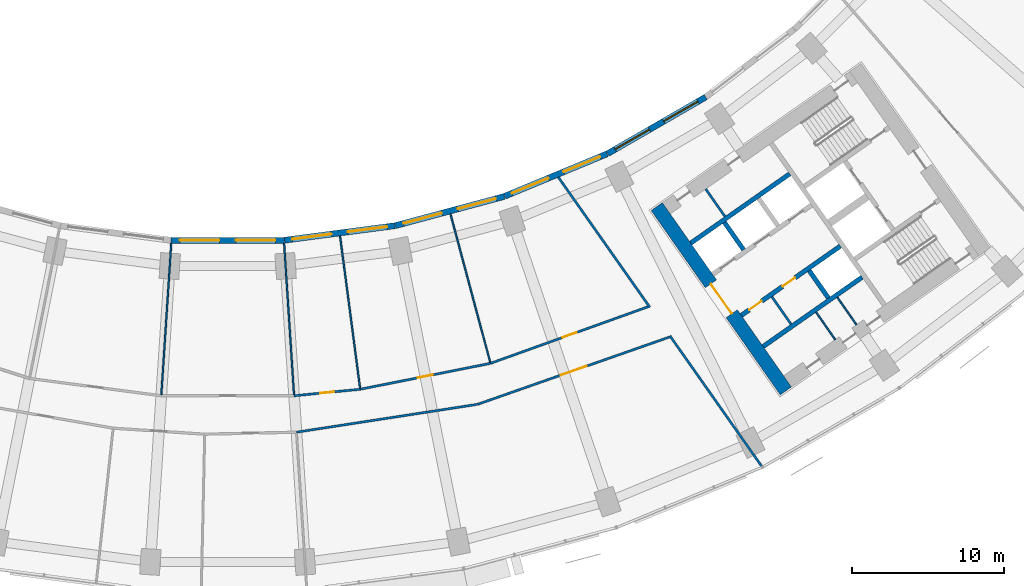
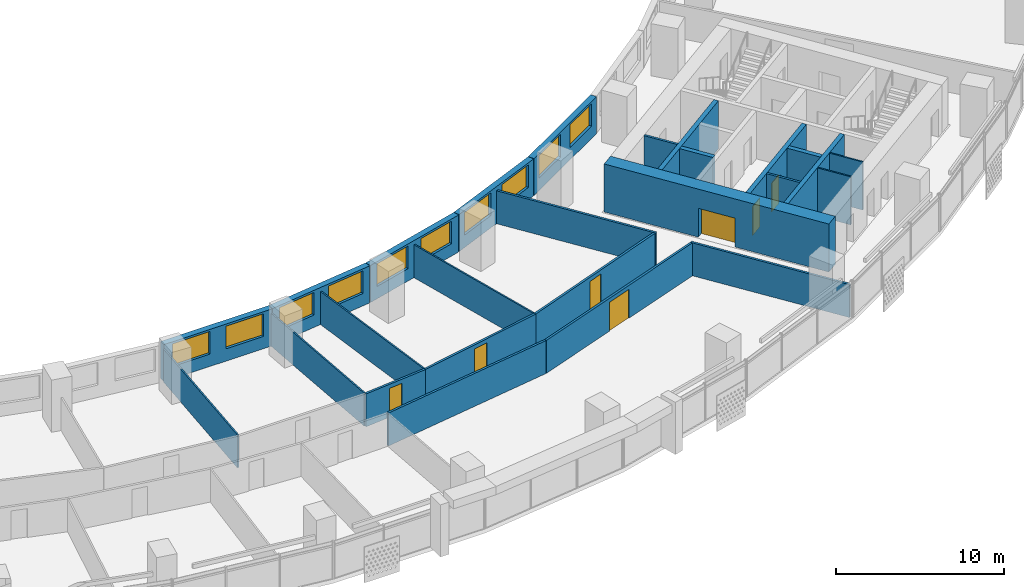
# One storey, part 6 of 31: 26 walls, 10 windows, 7 doors, 17 openings.
"""IFC4 building model written with IfcOpenShell, lengths in metres."""

from ifc_helpers import new_model, si_unit, direction, frame, frame_2d, origin, place, context, subcontext, project, spatial, rectangle, extrude, material, layer, layer_set, type_object, element, fill, save


model = new_model("IFC4")

# Units and contexts
model_context = context("Model", 3, precision=1e-05, world=origin(), true_north=direction((0.0, 1.0)))
body_context = subcontext(model_context, "Body", "Model", "MODEL_VIEW")
ifc_project = project(units=[si_unit("LENGTHUNIT", "METRE"), si_unit("AREAUNIT", "SQUARE_METRE"), si_unit("VOLUMEUNIT", "CUBIC_METRE"), si_unit("PLANEANGLEUNIT", "RADIAN"), si_unit("MASSUNIT", "GRAM", prefix="KILO")], contexts=[model_context])

# Site, building, storey
site_placement = place(None, origin())
site = spatial("IfcSite", under=ifc_project, at=site_placement, CompositionType="ELEMENT")
building_placement = place(site_placement, origin())
building = spatial("IfcBuilding", under=site, at=building_placement, Name="Qamariyya Broadcast Tower", CompositionType="ELEMENT")
storey_placement = place(building_placement, frame((0.0, 0.0, 51.89990234375)))
storey = spatial("IfcBuildingStorey", under=building, at=storey_placement, Name="L09", CompositionType="ELEMENT", Elevation=51.89990234375)

# Wall, opening, door
ifc_material_1 = material(Name="Concrete C70/85", Category="concrete")
ifc_layer_1 = layer(ifc_material_1, 0.89990234375)
ifc_layer_set_1 = layer_set([ifc_layer_1], Name="Core wall 900 mm Concrete C70/85")
wall_type_1 = type_object("IfcWallType", Name="Core wall 900 mm Concrete C70/85", PredefinedType="SHEAR", material=ifc_layer_set_1)
wall_1_placement = place(storey_placement, frame((36.716796875, -66.3369140625, 0.0), z_axis=(0.0, 0.0, 1.0), x_axis=(-0.573577477574, 0.819151315216, 0.0)))
wall_1 = element("IfcWall", 1, at=wall_1_placement, inside=storey, type_object=wall_type_1, Name="k-E-L09-WA", PredefinedType="SHEAR", context=body_context, shape_type="SweptSolid", body=[
    extrude(rectangle(XDim=14.800048828125, YDim=0.89990234375, at=frame_2d((7.39990234375, 0.0))), origin(), (0.0, 0.0, 1.0), 3.5),
])
opening_1_placement = place(wall_1_placement, frame((6.199951171875, 0.0, 0.0)))
opening_1 = element("IfcOpeningElement", 2, at=opening_1_placement, cuts=wall_1, Name="Opening KD3-E1", PredefinedType="OPENING", context=body_context, shape_type="SweptSolid", body=[
    extrude(rectangle(XDim=2.39990234375, YDim=2.10009765625, at=frame_2d((1.199951171875, 1.050048828125))), frame((0.0, 0.4599609375, 0.0), z_axis=(0.0, -1.0, 0.0), x_axis=(1.0, 0.0, 0.0)), (0.0, 0.0, 1.0), 0.919921875),
])
ifc_material_2 = material(Name="Steel fire-resisting door leaf", Category="steel")
door_type_1 = type_object("IfcDoorType", Name="Lift lobby door KD3", OperationType="DOUBLE_DOOR_SINGLE_SWING", PredefinedType="DOOR", material=ifc_material_2)
door_1_placement = place(opening_1_placement, origin())
door_1 = element("IfcDoor", 3, at=door_1_placement, inside=storey, type_object=door_type_1, Name="k-E-L09-WA-D1", OperationType="DOUBLE_DOOR_SINGLE_SWING", OverallHeight=2.10009765625, OverallWidth=2.39990234375, PredefinedType="DOOR", context=body_context, shape_type="SweptSolid", body=[
    extrude(rectangle(XDim=2.39990234375, YDim=2.10009765625, at=frame_2d((1.199951171875, 1.050048828125))), frame((0.0, 0.02490234375, 0.0), z_axis=(0.0, -1.0, 0.0), x_axis=(1.0, 0.0, 0.0)), (0.0, 0.0, 1.0), 0.050048828125),
])
fill(opening_1, door_1)

ifc_material_3 = material(Name="Gypsum board partition")
ifc_layer_2 = layer(ifc_material_3, 0.14990234375)
ifc_layer_set_2 = layer_set([ifc_layer_2], Name="Corridor partition 150 EI 60")
wall_type_2 = type_object("IfcWallType", Name="Corridor partition 150 EI 60", PredefinedType="PARTITIONING", material=ifc_layer_set_2)
wall_2_placement = place(storey_placement, frame((4.368896484375, -66.656982421875, 0.0), z_axis=(0.0, 0.0, 1.0), x_axis=(0.995184826457, 0.098016127192, 0.0)))
wall_2 = element("IfcWall", 4, at=wall_2_placement, inside=storey, type_object=wall_type_2, Name="Partition L09-019", PredefinedType="PARTITIONING", context=body_context, shape_type="SweptSolid", body=[
    extrude(rectangle(XDim=4.371337890625, YDim=0.14990234375, at=frame_2d((2.185546875, 0.0))), origin(), (0.0, 0.0, 1.0), 2.400146484375),
])
opening_2_placement = place(wall_2_placement, frame((1.735595703125, 0.0, 0.0)))
opening_2 = element("IfcOpeningElement", 5, at=opening_2_placement, cuts=wall_2, Name="Opening L09-D10", PredefinedType="OPENING", context=body_context, shape_type="SweptSolid", body=[
    extrude(rectangle(XDim=0.89990234375, YDim=2.10009765625, at=frame_2d((0.449951171875, 1.050048828125))), frame((0.0, 0.0849609375, 0.0), z_axis=(0.0, -1.0, 0.0), x_axis=(1.0, 0.0, 0.0)), (0.0, 0.0, 1.0), 0.169921875),
])
ifc_material_4 = material(Name="Timber fire door leaf", Category="wood")
door_type_2 = type_object("IfcDoorType", Name="Fire door 900 x 2100 FD60", OperationType="NOTDEFINED", PredefinedType="DOOR", material=ifc_material_4)
door_2_placement = place(opening_2_placement, origin())
door_2 = element("IfcDoor", 6, at=door_2_placement, inside=storey, type_object=door_type_2, Name="Door L09-D10", OperationType="SINGLE_SWING_RIGHT", OverallHeight=2.10009765625, OverallWidth=0.89990234375, PredefinedType="DOOR", context=body_context, shape_type="SweptSolid", body=[
    extrude(rectangle(XDim=0.89990234375, YDim=2.10009765625, at=frame_2d((0.449951171875, 1.050048828125))), frame((0.0, 0.02490234375, 0.0), z_axis=(0.0, -1.0, 0.0), x_axis=(1.0, 0.0, 0.0)), (0.0, 0.0, 1.0), 0.050048828125),
])
fill(opening_2, door_2)

# Wall
wall_3_placement = place(storey_placement, frame((4.52587890625, -69.0517578125, 0.0), z_axis=(0.0, 0.0, 1.0), x_axis=(0.988363732991, 0.152108945522, 0.0)))
element("IfcWall", 7, at=wall_3_placement, inside=storey, type_object=wall_type_2, Name="Partition L09-020", PredefinedType="PARTITIONING", context=body_context, shape_type="SweptSolid", body=[
    extrude(rectangle(XDim=12.050537109375, YDim=0.14990234375, at=frame_2d((6.025390625, 0.0))), origin(), (0.0, 0.0, 1.0), 2.400146484375),
])

# Wall, opening, door
wall_4_placement = place(storey_placement, frame((8.71923828125, -66.228515625, 0.0), z_axis=(0.0, 0.0, 1.0), x_axis=(0.980786466832, 0.195084357342, 0.0)))
wall_4 = element("IfcWall", 8, at=wall_4_placement, inside=storey, type_object=wall_type_2, Name="Partition L09-023", PredefinedType="PARTITIONING", context=body_context, shape_type="SweptSolid", body=[
    extrude(rectangle(XDim=8.73779296875, YDim=0.14990234375, at=frame_2d((4.368896484375, 0.0))), origin(), (0.0, 0.0, 1.0), 2.400146484375),
])
opening_3_placement = place(wall_4_placement, frame((3.868896484375, 0.0, 0.0)))
opening_3 = element("IfcOpeningElement", 9, at=opening_3_placement, cuts=wall_4, Name="Opening L09-D11", PredefinedType="OPENING", context=body_context, shape_type="SweptSolid", body=[
    extrude(rectangle(XDim=1.0, YDim=2.10009765625, at=frame_2d((0.5, 1.050048828125))), frame((0.0, 0.0849609375, 0.0), z_axis=(0.0, -1.0, 0.0), x_axis=(1.0, 0.0, 0.0)), (0.0, 0.0, 1.0), 0.169921875),
])
door_type_3 = type_object("IfcDoorType", Name="Fire door 1000 x 2100 FD60", OperationType="NOTDEFINED", PredefinedType="DOOR", material=ifc_material_4)
door_3_placement = place(opening_3_placement, origin())
door_3 = element("IfcDoor", 10, at=door_3_placement, inside=storey, type_object=door_type_3, Name="Door L09-D11", OperationType="SINGLE_SWING_RIGHT", OverallHeight=2.10009765625, OverallWidth=1.0, PredefinedType="DOOR", context=body_context, shape_type="SweptSolid", body=[
    extrude(rectangle(XDim=1.0, YDim=2.10009765625, at=frame_2d((0.5, 1.050048828125))), frame((0.0, 0.02490234375, 0.0), z_axis=(0.0, -1.0, 0.0), x_axis=(1.0, 0.0, 0.0)), (0.0, 0.0, 1.0), 0.050048828125),
])
fill(opening_3, door_3)

wall_5_placement = place(storey_placement, frame((29.060302734375, -62.79443359375, 0.0), z_axis=(0.0, 0.0, 1.0), x_axis=(-0.943672989474, -0.330879568631, 0.0)))
wall_5 = element("IfcWall", 11, at=wall_5_placement, inside=storey, type_object=wall_type_2, Name="Partition L09-025", PredefinedType="PARTITIONING", context=body_context, shape_type="SweptSolid", body=[
    extrude(rectangle(XDim=13.357421875, YDim=0.14990234375, at=frame_2d((6.6787109375, 0.0))), origin(), (0.0, 0.0, 1.0), 2.400146484375),
])
opening_4_placement = place(wall_5_placement, frame((5.778564453125, 0.0, 0.0)))
opening_4 = element("IfcOpeningElement", 12, at=opening_4_placement, cuts=wall_5, Name="Opening L09-D06", PredefinedType="OPENING", context=body_context, shape_type="SweptSolid", body=[
    extrude(rectangle(XDim=1.800048828125, YDim=2.10009765625, at=frame_2d((0.89990234375, 1.050048828125))), frame((0.0, 0.0849609375, 0.0), z_axis=(0.0, -1.0, 0.0), x_axis=(1.0, 0.0, 0.0)), (0.0, 0.0, 1.0), 0.169921875),
])
door_type_4 = type_object("IfcDoorType", Name="Double fire door 1800 x 2100 FD60", OperationType="NOTDEFINED", PredefinedType="DOOR", material=ifc_material_4)
door_4_placement = place(opening_4_placement, origin())
door_4 = element("IfcDoor", 13, at=door_4_placement, inside=storey, type_object=door_type_4, Name="Door L09-D06", OperationType="DOUBLE_DOOR_SINGLE_SWING", OverallHeight=2.10009765625, OverallWidth=1.800048828125, PredefinedType="DOOR", context=body_context, shape_type="SweptSolid", body=[
    extrude(rectangle(XDim=1.800048828125, YDim=2.10009765625, at=frame_2d((0.89990234375, 1.050048828125))), frame((0.0, 0.02490234375, 0.0), z_axis=(0.0, -1.0, 0.0), x_axis=(1.0, 0.0, 0.0)), (0.0, 0.0, 1.0), 0.050048828125),
])
fill(opening_4, door_4)

wall_6_placement = place(storey_placement, frame((17.2890625, -64.52392578125, 0.0), z_axis=(0.0, 0.0, 1.0), x_axis=(0.941106453562, 0.338110400705, 0.0)))
wall_6 = element("IfcWall", 14, at=wall_6_placement, inside=storey, type_object=wall_type_2, Name="Partition L09-026", PredefinedType="PARTITIONING", context=body_context, shape_type="SweptSolid", body=[
    extrude(rectangle(XDim=11.015869140625, YDim=0.14990234375, at=frame_2d((5.5078125, 0.0))), origin(), (0.0, 0.0, 1.0), 2.400146484375),
])
opening_5_placement = place(wall_6_placement, frame((5.008056640625, 0.0, 0.0)))
opening_5 = element("IfcOpeningElement", 15, at=opening_5_placement, cuts=wall_6, Name="Opening L09-D12", PredefinedType="OPENING", context=body_context, shape_type="SweptSolid", body=[
    extrude(rectangle(XDim=1.0, YDim=2.10009765625, at=frame_2d((0.5, 1.050048828125))), frame((0.0, 0.0849609375, 0.0), z_axis=(0.0, -1.0, 0.0), x_axis=(1.0, 0.0, 0.0)), (0.0, 0.0, 1.0), 0.169921875),
])
door_5_placement = place(opening_5_placement, origin())
door_5 = element("IfcDoor", 16, at=door_5_placement, inside=storey, type_object=door_type_3, Name="Door L09-D12", OperationType="SINGLE_SWING_RIGHT", OverallHeight=2.10009765625, OverallWidth=1.0, PredefinedType="DOOR", context=body_context, shape_type="SweptSolid", body=[
    extrude(rectangle(XDim=1.0, YDim=2.10009765625, at=frame_2d((0.5, 1.050048828125))), frame((0.0, 0.02490234375, 0.0), z_axis=(0.0, -1.0, 0.0), x_axis=(1.0, 0.0, 0.0)), (0.0, 0.0, 1.0), 0.050048828125),
])
fill(opening_5, door_5)

# Walls
wall_7_placement = place(storey_placement, frame((21.748291015625, -52.2763671875, 0.0), z_axis=(0.0, 0.0, 1.0), x_axis=(0.575419434668, -0.817858468322, 0.0)))
element("IfcWall", 17, at=wall_7_placement, inside=storey, type_object=wall_type_2, Name="Partition L09-027", PredefinedType="PARTITIONING", context=body_context, shape_type="SweptSolid", body=[
    extrude(rectangle(XDim=10.46484375, YDim=0.14990234375, at=frame_2d((5.232421875, 0.0))), origin(), (0.0, 0.0, 1.0), 2.400146484375),
])
wall_8_placement = place(storey_placement, frame((29.087890625, -62.708251953125, 0.0), z_axis=(0.0, 0.0, 1.0), x_axis=(0.575411972256, -0.817863718589, 0.0)))
element("IfcWall", 18, at=wall_8_placement, inside=storey, type_object=wall_type_2, Name="Partition L09-028", PredefinedType="PARTITIONING", context=body_context, shape_type="SweptSolid", body=[
    extrude(rectangle(XDim=10.471435546875, YDim=0.14990234375, at=frame_2d((5.23583984375, 0.0))), origin(), (0.0, 0.0, 1.0), 2.400146484375),
])
ifc_material_5 = material(Name="Gypsum board partition on steel studs", Category="steel")
ifc_layer_3 = layer(ifc_material_5, 0.14990234375)
ifc_layer_set_3 = layer_set([ifc_layer_3], Name="Gypsum board partition 150 mm")
wall_type_3 = type_object("IfcWallType", Name="Gypsum board partition 150 mm", PredefinedType="PARTITIONING", material=ifc_layer_set_3)
for number, where, z_axis, x_axis, name in (
    (19, (35.79833984375, -60.143798828125, 0.0), (0.0, 0.0, 1.0), (0.573633636671, -0.819111989218, 0.0), "k-E-L09-SC235"),
    (20, (32.709228515625, -54.860107421875, 0.0), (0.0, 0.0, 1.0), (-0.573633636671, 0.819111989218, 0.0), "k-E-L09-NP285"),
):
    element("IfcWall", number, at=place(storey_placement, frame(where, z_axis=z_axis, x_axis=x_axis)), inside=storey, type_object=wall_type_3, Name=name, PredefinedType="PARTITIONING", context=body_context, shape_type="SweptSolid", body=[
        extrude(rectangle(XDim=2.199951171875, YDim=0.14990234375, at=frame_2d((1.10009765625, 0.0))), origin(), (0.0, 0.0, 1.0), 3.5),
    ])
ifc_material_6 = material(Name="Concrete C60/75", Category="concrete")
ifc_layer_4 = layer(ifc_material_6, 0.300048828125)
ifc_layer_set_4 = layer_set([ifc_layer_4], Name="Lift shaft wall 300 mm Concrete C60/75")
wall_type_4 = type_object("IfcWallType", Name="Lift shaft wall 300 mm Concrete C60/75", PredefinedType="SOLIDWALL", material=ifc_layer_set_4)
wall_9_placement = place(storey_placement, frame((30.460693359375, -56.61767578125, 0.0), z_axis=(0.0, 0.0, 1.0), x_axis=(0.819142461705, 0.573590121456, 0.0)))
element("IfcWall", 21, at=wall_9_placement, inside=storey, type_object=wall_type_4, Name="k-E-L09-NB0", PredefinedType="SOLIDWALL", context=body_context, shape_type="SweptSolid", body=[
    extrude(rectangle(XDim=7.949951171875, YDim=0.300048828125, at=frame_2d((3.97509765625, 0.0))), origin(), (0.0, 0.0, 1.0), 3.5),
])
wall_10_placement = place(storey_placement, frame((33.9384765625, -57.051513671875, 0.0), z_axis=(0.0, 0.0, 1.0), x_axis=(-0.573581496053, 0.819148501424, 0.0)))
element("IfcWall", 22, at=wall_10_placement, inside=storey, type_object=wall_type_4, Name="k-E-L09-ND0", PredefinedType="SOLIDWALL", context=body_context, shape_type="SweptSolid", body=[
    extrude(rectangle(XDim=2.2001953125, YDim=0.300048828125, at=frame_2d((1.10009765625, 0.0))), origin(), (0.0, 0.0, 1.0), 3.5),
])

# Wall, openings, doors
wall_11_placement = place(storey_placement, frame((33.787353515625, -61.368896484375, 0.0), z_axis=(0.0, 0.0, 1.0), x_axis=(0.819152564888, 0.573575692858, 0.0)))
wall_11 = element("IfcWall", 23, at=wall_11_placement, inside=storey, type_object=wall_type_4, Name="k-E-L09-SF0", PredefinedType="SOLIDWALL", context=body_context, shape_type="SweptSolid", body=[
    extrude(rectangle(XDim=7.9501953125, YDim=0.300048828125, at=frame_2d((3.97509765625, 0.0))), origin(), (0.0, 0.0, 1.0), 3.5),
])
opening_6_placement = place(wall_11_placement, frame((0.637451171875, 0.0, 0.0)))
opening_6 = element("IfcOpeningElement", 24, at=opening_6_placement, cuts=wall_11, Name="Opening KD6-E1", PredefinedType="OPENING", context=body_context, shape_type="SweptSolid", body=[
    extrude(rectangle(XDim=1.0, YDim=2.10009765625, at=frame_2d((0.5, 1.050048828125))), frame((0.0, 0.159912109375, 0.0), z_axis=(0.0, -1.0, 0.0), x_axis=(1.0, 0.0, 0.0)), (0.0, 0.0, 1.0), 0.320068359375),
])
opening_7_placement = place(wall_11_placement, frame((3.3125, 0.0, 0.0)))
opening_7 = element("IfcOpeningElement", 25, at=opening_7_placement, cuts=wall_11, Name="Opening KD4-E1", PredefinedType="OPENING", context=body_context, shape_type="SweptSolid", body=[
    extrude(rectangle(XDim=1.0, YDim=2.10009765625, at=frame_2d((0.5, 1.050048828125))), frame((0.0, 0.159912109375, 0.0), z_axis=(0.0, -1.0, 0.0), x_axis=(1.0, 0.0, 0.0)), (0.0, 0.0, 1.0), 0.320068359375),
])
door_type_5 = type_object("IfcDoorType", Name="Core room door KD6", OperationType="SINGLE_SWING_LEFT", PredefinedType="DOOR", material=ifc_material_2)
door_6_placement = place(opening_6_placement, origin())
door_6 = element("IfcDoor", 26, at=door_6_placement, inside=storey, type_object=door_type_5, Name="k-E-L09-SF0-D5", OperationType="SINGLE_SWING_LEFT", OverallHeight=2.10009765625, OverallWidth=1.0, PredefinedType="DOOR", context=body_context, shape_type="SweptSolid", body=[
    extrude(rectangle(XDim=1.0, YDim=2.10009765625, at=frame_2d((0.5, 1.050048828125))), frame((0.0, 0.02490234375, 0.0), z_axis=(0.0, -1.0, 0.0), x_axis=(1.0, 0.0, 0.0)), (0.0, 0.0, 1.0), 0.050048828125),
])
fill(opening_6, door_6)
door_type_6 = type_object("IfcDoorType", Name="Riser and plant door KD4", OperationType="SINGLE_SWING_LEFT", PredefinedType="DOOR", material=ifc_material_2)
door_7_placement = place(opening_7_placement, origin())
door_7 = element("IfcDoor", 27, at=door_7_placement, inside=storey, type_object=door_type_6, Name="k-E-L09-SF0-D6", OperationType="SINGLE_SWING_RIGHT", OverallHeight=2.10009765625, OverallWidth=1.0, PredefinedType="DOOR", context=body_context, shape_type="SweptSolid", body=[
    extrude(rectangle(XDim=1.0, YDim=2.10009765625, at=frame_2d((0.5, 1.050048828125))), frame((0.0, 0.02490234375, 0.0), z_axis=(0.0, -1.0, 0.0), x_axis=(1.0, 0.0, 0.0)), (0.0, 0.0, 1.0), 0.050048828125),
])
fill(opening_7, door_7)

# Walls
wall_12_placement = place(storey_placement, frame((35.22119140625, -63.41650390625, 0.0), z_axis=(0.0, 0.0, 1.0), x_axis=(0.819166993208, 0.573555086491, 0.0)))
element("IfcWall", 28, at=wall_12_placement, inside=storey, type_object=wall_type_4, Name="k-E-L09-SB0", PredefinedType="SOLIDWALL", context=body_context, shape_type="SweptSolid", body=[
    extrude(rectangle(XDim=7.9501953125, YDim=0.300048828125, at=frame_2d((3.97509765625, 0.0))), origin(), (0.0, 0.0, 1.0), 3.5),
])
wall_13_placement = place(storey_placement, frame((38.255859375, -58.423095703125, 0.0), z_axis=(0.0, 0.0, 1.0), x_axis=(0.573633636671, -0.819111989218, 0.0)))
element("IfcWall", 29, at=wall_13_placement, inside=storey, type_object=wall_type_4, Name="k-E-L09-SD1", PredefinedType="SOLIDWALL", context=body_context, shape_type="SweptSolid", body=[
    extrude(rectangle(XDim=2.199951171875, YDim=0.300048828125, at=frame_2d((1.10009765625, 0.0))), origin(), (0.0, 0.0, 1.0), 3.5),
])
ifc_layer_5 = layer(ifc_material_3, 0.10009765625)
ifc_layer_set_5 = layer_set([ifc_layer_5], Name="Partition 100")
wall_type_5 = type_object("IfcWallType", Name="Partition 100", PredefinedType="PARTITIONING", material=ifc_layer_set_5)
for number, where, z_axis, x_axis, name in (
    (30, (-3.711669921875, -56.62841796875, 0.0), (0.0, 0.0, 1.0), (-0.06539808502, -0.997859253841, 0.0), "Partition L09-015"),
    (31, (3.711669921875, -56.62841796875, 0.0), (0.0, 0.0, 1.0), (0.06539808502, -0.997859253841, 0.0), "Partition L09-018"),
):
    element("IfcWall", number, at=place(storey_placement, frame(where, z_axis=z_axis, x_axis=x_axis)), inside=storey, type_object=wall_type_5, Name=name, PredefinedType="PARTITIONING", context=body_context, shape_type="SweptSolid", body=[
        extrude(rectangle(XDim=9.974853515625, YDim=0.10009765625, at=frame_2d((4.9873046875, 0.0))), origin(), (0.0, 0.0, 1.0), 2.400146484375),
    ])
for number, where, z_axis, x_axis, name in (
    (32, (7.3916015625, -56.144775390625, 0.0), (0.0, 0.0, 1.0), (0.130538336764, -0.991443262439, 0.0), "Partition L09-022"),
    (33, (14.65673828125, -54.69970703125, 0.0), (0.0, 0.0, 1.0), (0.258825935876, -0.965923979885, 0.0), "Partition L09-024"),
):
    element("IfcWall", number, at=place(storey_placement, frame(where, z_axis=z_axis, x_axis=x_axis)), inside=storey, type_object=wall_type_5, Name=name, PredefinedType="PARTITIONING", context=body_context, shape_type="SweptSolid", body=[
        extrude(rectangle(XDim=10.095703125, YDim=0.10009765625, at=frame_2d((5.0478515625, 0.0))), origin(), (0.0, 0.0, 1.0), 2.400146484375),
    ])
ifc_material_7 = material(Name="Fire-rated gypsum shaft liner on steel studs", Category="steel")
ifc_layer_6 = layer(ifc_material_7, 0.10009765625)
ifc_layer_set_6 = layer_set([ifc_layer_6], Name="Riser wall 100 mm")
wall_type_6 = type_object("IfcWallType", Name="Riser wall 100 mm", PredefinedType="PLUMBINGWALL", material=ifc_layer_set_6)
for number, where, z_axis, x_axis, name in (
    (34, (38.706787109375, -61.1591796875, 0.0), (0.0, 0.0, 1.0), (0.573633636671, -0.819111989218, 0.0), "k-E-L09-SP415"),
    (35, (40.099365234375, -60.18408203125, 0.0), (0.0, 0.0, 1.0), (0.573633636671, -0.819111989218, 0.0), "k-E-L09-SP585"),
):
    element("IfcWall", number, at=place(storey_placement, frame(where, z_axis=z_axis, x_axis=x_axis)), inside=storey, type_object=wall_type_6, Name=name, PredefinedType="PLUMBINGWALL", context=body_context, shape_type="SweptSolid", body=[
        extrude(rectangle(XDim=2.199951171875, YDim=0.10009765625, at=frame_2d((1.10009765625, 0.0))), origin(), (0.0, 0.0, 1.0), 3.5),
    ])

# Wall, openings, windows
ifc_material_8 = material(Name="Terracotta", Category="masonry")
ifc_layer_7 = layer(ifc_material_8, 0.39990234375)
ifc_layer_set_7 = layer_set([ifc_layer_7], Name="Terracotta clad wall 400")
wall_type_7 = type_object("IfcWallType", Name="Terracotta clad wall 400", PredefinedType="SOLIDWALL", material=ifc_layer_set_7)
wall_14_placement = place(storey_placement, frame((18.20166015625, -53.542724609375, 0.0), z_axis=(0.0, 0.0, 1.0), x_axis=(-0.965924637935, -0.25882348006, 0.0)))
wall_14 = element("IfcWall", 36, at=wall_14_placement, inside=storey, type_object=wall_type_7, Name="e-wl-L09-in100", PredefinedType="SOLIDWALL", context=body_context, shape_type="SweptSolid", body=[
    extrude(rectangle(XDim=7.447021484375, YDim=0.39990234375, at=frame_2d((3.7236328125, 0.0))), origin(), (0.0, 0.0, 1.0), 2.7001953125),
])
opening_8_placement = place(wall_14_placement, frame((4.266357421875, 0.0, 0.89990234375)))
opening_8 = element("IfcOpeningElement", 37, at=opening_8_placement, cuts=wall_14, Name="Opening W1", PredefinedType="OPENING", context=body_context, shape_type="SweptSolid", body=[
    extrude(rectangle(XDim=2.60009765625, YDim=1.64990234375, at=frame_2d((1.300048828125, 0.824951171875))), frame((0.0, 0.2099609375, 0.0), z_axis=(0.0, -1.0, 0.0), x_axis=(1.0, 0.0, 0.0)), (0.0, 0.0, 1.0), 0.419921875),
])
opening_9_placement = place(wall_14_placement, frame((0.580810546875, 0.0, 0.89990234375)))
opening_9 = element("IfcOpeningElement", 38, at=opening_9_placement, cuts=wall_14, Name="Opening W1", PredefinedType="OPENING", context=body_context, shape_type="SweptSolid", body=[
    extrude(rectangle(XDim=2.60009765625, YDim=1.64990234375, at=frame_2d((1.300048828125, 0.824951171875))), frame((0.0, 0.2099609375, 0.0), z_axis=(0.0, -1.0, 0.0), x_axis=(1.0, 0.0, 0.0)), (0.0, 0.0, 1.0), 0.419921875),
])
ifc_material_9 = material(Name="Clear low-e double glazed unit in aluminium frame", Category="aluminium")
window_type = type_object("IfcWindowType", Name="Ribbon window 2600 x 1650", PartitioningType="SINGLE_PANEL", PredefinedType="WINDOW", material=ifc_material_9)
window_1_placement = place(opening_8_placement, origin())
window_1 = element("IfcWindow", 39, at=window_1_placement, inside=storey, type_object=window_type, Name="e-w-L09-in10-0", OverallHeight=1.64990234375, OverallWidth=2.60009765625, PartitioningType="SINGLE_PANEL", PredefinedType="WINDOW", context=body_context, shape_type="SweptSolid", body=[
    extrude(rectangle(XDim=2.60009765625, YDim=1.64990234375, at=frame_2d((1.300048828125, 0.824951171875))), frame((0.0, 0.030029296875, 0.0), z_axis=(0.0, -1.0, 0.0), x_axis=(1.0, 0.0, 0.0)), (0.0, 0.0, 1.0), 0.06005859375),
])
fill(opening_8, window_1)
window_2_placement = place(opening_9_placement, origin())
window_2 = element("IfcWindow", 40, at=window_2_placement, inside=storey, type_object=window_type, Name="e-w-L09-in10-1", OverallHeight=1.64990234375, OverallWidth=2.60009765625, PartitioningType="SINGLE_PANEL", PredefinedType="WINDOW", context=body_context, shape_type="SweptSolid", body=[
    extrude(rectangle(XDim=2.60009765625, YDim=1.64990234375, at=frame_2d((1.300048828125, 0.824951171875))), frame((0.0, 0.030029296875, 0.0), z_axis=(0.0, -1.0, 0.0), x_axis=(1.0, 0.0, 0.0)), (0.0, 0.0, 1.0), 0.06005859375),
])
fill(opening_9, window_2)

wall_15_placement = place(storey_placement, frame((24.96484375, -50.738037109375, 0.0), z_axis=(0.0, 0.0, 1.0), x_axis=(-0.923891626322, -0.382654234018, 0.0)))
wall_15 = element("IfcWall", 41, at=wall_15_placement, inside=storey, type_object=wall_type_7, Name="e-wl-L09-in110", PredefinedType="SOLIDWALL", context=body_context, shape_type="SweptSolid", body=[
    extrude(rectangle(XDim=7.295654296875, YDim=0.39990234375, at=frame_2d((3.64794921875, 0.0))), origin(), (0.0, 0.0, 1.0), 2.7001953125),
])
opening_10_placement = place(wall_15_placement, frame((4.190673828125, 0.0, 0.89990234375)))
opening_10 = element("IfcOpeningElement", 42, at=opening_10_placement, cuts=wall_15, Name="Opening W1", PredefinedType="OPENING", context=body_context, shape_type="SweptSolid", body=[
    extrude(rectangle(XDim=2.60009765625, YDim=1.64990234375, at=frame_2d((1.300048828125, 0.824951171875))), frame((0.0, 0.2099609375, 0.0), z_axis=(0.0, -1.0, 0.0), x_axis=(1.0, 0.0, 0.0)), (0.0, 0.0, 1.0), 0.419921875),
])
opening_11_placement = place(wall_15_placement, frame((0.505126953125, 0.0, 0.89990234375)))
opening_11 = element("IfcOpeningElement", 43, at=opening_11_placement, cuts=wall_15, Name="Opening W1", PredefinedType="OPENING", context=body_context, shape_type="SweptSolid", body=[
    extrude(rectangle(XDim=2.60009765625, YDim=1.64990234375, at=frame_2d((1.300048828125, 0.824951171875))), frame((0.0, 0.2099609375, 0.0), z_axis=(0.0, -1.0, 0.0), x_axis=(1.0, 0.0, 0.0)), (0.0, 0.0, 1.0), 0.419921875),
])
window_3_placement = place(opening_10_placement, origin())
window_3 = element("IfcWindow", 44, at=window_3_placement, inside=storey, type_object=window_type, Name="e-w-L09-in11-0", OverallHeight=1.64990234375, OverallWidth=2.60009765625, PartitioningType="SINGLE_PANEL", PredefinedType="WINDOW", context=body_context, shape_type="SweptSolid", body=[
    extrude(rectangle(XDim=2.60009765625, YDim=1.64990234375, at=frame_2d((1.300048828125, 0.824951171875))), frame((0.0, 0.030029296875, 0.0), z_axis=(0.0, -1.0, 0.0), x_axis=(1.0, 0.0, 0.0)), (0.0, 0.0, 1.0), 0.06005859375),
])
fill(opening_10, window_3)
window_4_placement = place(opening_11_placement, origin())
window_4 = element("IfcWindow", 45, at=window_4_placement, inside=storey, type_object=window_type, Name="e-w-L09-in11-1", OverallHeight=1.64990234375, OverallWidth=2.60009765625, PartitioningType="SINGLE_PANEL", PredefinedType="WINDOW", context=body_context, shape_type="SweptSolid", body=[
    extrude(rectangle(XDim=2.60009765625, YDim=1.64990234375, at=frame_2d((1.300048828125, 0.824951171875))), frame((0.0, 0.030029296875, 0.0), z_axis=(0.0, -1.0, 0.0), x_axis=(1.0, 0.0, 0.0)), (0.0, 0.0, 1.0), 0.06005859375),
])
fill(opening_11, window_4)

wall_16_placement = place(storey_placement, frame((31.439453125, -47.007568359375, 0.0), z_axis=(0.0, 0.0, 1.0), x_axis=(-0.866037641005, -0.499978803913, 0.0)))
wall_16 = element("IfcWall", 46, at=wall_16_placement, inside=storey, type_object=wall_type_7, Name="e-wl-L09-in120", PredefinedType="SOLIDWALL", context=body_context, shape_type="SweptSolid", body=[
    extrude(rectangle(XDim=7.447021484375, YDim=0.39990234375, at=frame_2d((3.7236328125, 0.0))), origin(), (0.0, 0.0, 1.0), 2.7001953125),
])
opening_12_placement = place(wall_16_placement, frame((4.266357421875, 0.0, 0.89990234375)))
opening_12 = element("IfcOpeningElement", 47, at=opening_12_placement, cuts=wall_16, Name="Opening W1", PredefinedType="OPENING", context=body_context, shape_type="SweptSolid", body=[
    extrude(rectangle(XDim=2.60009765625, YDim=1.64990234375, at=frame_2d((1.300048828125, 0.824951171875))), frame((0.0, 0.2099609375, 0.0), z_axis=(0.0, -1.0, 0.0), x_axis=(1.0, 0.0, 0.0)), (0.0, 0.0, 1.0), 0.419921875),
])
opening_13_placement = place(wall_16_placement, frame((0.580810546875, 0.0, 0.89990234375)))
opening_13 = element("IfcOpeningElement", 48, at=opening_13_placement, cuts=wall_16, Name="Opening W1", PredefinedType="OPENING", context=body_context, shape_type="SweptSolid", body=[
    extrude(rectangle(XDim=2.60009765625, YDim=1.64990234375, at=frame_2d((1.300048828125, 0.824951171875))), frame((0.0, 0.2099609375, 0.0), z_axis=(0.0, -1.0, 0.0), x_axis=(1.0, 0.0, 0.0)), (0.0, 0.0, 1.0), 0.419921875),
])
window_5_placement = place(opening_12_placement, origin())
window_5 = element("IfcWindow", 49, at=window_5_placement, inside=storey, type_object=window_type, Name="e-w-L09-in12-0", OverallHeight=1.64990234375, OverallWidth=2.60009765625, PartitioningType="SINGLE_PANEL", PredefinedType="WINDOW", context=body_context, shape_type="SweptSolid", body=[
    extrude(rectangle(XDim=2.60009765625, YDim=1.64990234375, at=frame_2d((1.300048828125, 0.824951171875))), frame((0.0, 0.030029296875, 0.0), z_axis=(0.0, -1.0, 0.0), x_axis=(1.0, 0.0, 0.0)), (0.0, 0.0, 1.0), 0.06005859375),
])
fill(opening_12, window_5)
window_6_placement = place(opening_13_placement, origin())
window_6 = element("IfcWindow", 50, at=window_6_placement, inside=storey, type_object=window_type, Name="e-w-L09-in12-1", OverallHeight=1.64990234375, OverallWidth=2.60009765625, PartitioningType="SINGLE_PANEL", PredefinedType="WINDOW", context=body_context, shape_type="SweptSolid", body=[
    extrude(rectangle(XDim=2.60009765625, YDim=1.64990234375, at=frame_2d((1.300048828125, 0.824951171875))), frame((0.0, 0.030029296875, 0.0), z_axis=(0.0, -1.0, 0.0), x_axis=(1.0, 0.0, 0.0)), (0.0, 0.0, 1.0), 0.06005859375),
])
fill(opening_13, window_6)

wall_17_placement = place(storey_placement, frame((3.7236328125, -56.429443359375, 0.0), z_axis=(0.0, 0.0, 1.0), x_axis=(-1.0, 0.0, 0.0)))
wall_17 = element("IfcWall", 51, at=wall_17_placement, inside=storey, type_object=wall_type_7, Name="e-wl-L09-in80", PredefinedType="SOLIDWALL", context=body_context, shape_type="SweptSolid", body=[
    extrude(rectangle(XDim=7.447265625, YDim=0.39990234375, at=frame_2d((3.7236328125, 0.0))), origin(), (0.0, 0.0, 1.0), 2.7001953125),
])
opening_14_placement = place(wall_17_placement, frame((4.266357421875, 0.0, 0.89990234375)))
opening_14 = element("IfcOpeningElement", 52, at=opening_14_placement, cuts=wall_17, Name="Opening W1", PredefinedType="OPENING", context=body_context, shape_type="SweptSolid", body=[
    extrude(rectangle(XDim=2.60009765625, YDim=1.64990234375, at=frame_2d((1.300048828125, 0.824951171875))), frame((0.0, 0.2099609375, 0.0), z_axis=(0.0, -1.0, 0.0), x_axis=(1.0, 0.0, 0.0)), (0.0, 0.0, 1.0), 0.419921875),
])
opening_15_placement = place(wall_17_placement, frame((0.580810546875, 0.0, 0.89990234375)))
opening_15 = element("IfcOpeningElement", 53, at=opening_15_placement, cuts=wall_17, Name="Opening W1", PredefinedType="OPENING", context=body_context, shape_type="SweptSolid", body=[
    extrude(rectangle(XDim=2.60009765625, YDim=1.64990234375, at=frame_2d((1.300048828125, 0.824951171875))), frame((0.0, 0.2099609375, 0.0), z_axis=(0.0, -1.0, 0.0), x_axis=(1.0, 0.0, 0.0)), (0.0, 0.0, 1.0), 0.419921875),
])
window_7_placement = place(opening_14_placement, origin())
window_7 = element("IfcWindow", 54, at=window_7_placement, inside=storey, type_object=window_type, Name="e-w-L09-in08-0", OverallHeight=1.64990234375, OverallWidth=2.60009765625, PartitioningType="SINGLE_PANEL", PredefinedType="WINDOW", context=body_context, shape_type="SweptSolid", body=[
    extrude(rectangle(XDim=2.60009765625, YDim=1.64990234375, at=frame_2d((1.300048828125, 0.824951171875))), frame((0.0, 0.030029296875, 0.0), z_axis=(0.0, -1.0, 0.0), x_axis=(1.0, 0.0, 0.0)), (0.0, 0.0, 1.0), 0.06005859375),
])
fill(opening_14, window_7)
window_8_placement = place(opening_15_placement, origin())
window_8 = element("IfcWindow", 55, at=window_8_placement, inside=storey, type_object=window_type, Name="e-w-L09-in08-1", OverallHeight=1.64990234375, OverallWidth=2.60009765625, PartitioningType="SINGLE_PANEL", PredefinedType="WINDOW", context=body_context, shape_type="SweptSolid", body=[
    extrude(rectangle(XDim=2.60009765625, YDim=1.64990234375, at=frame_2d((1.300048828125, 0.824951171875))), frame((0.0, 0.030029296875, 0.0), z_axis=(0.0, -1.0, 0.0), x_axis=(1.0, 0.0, 0.0)), (0.0, 0.0, 1.0), 0.06005859375),
])
fill(opening_15, window_8)

wall_18_placement = place(storey_placement, frame((10.982177734375, -55.470458984375, 0.0), z_axis=(0.0, 0.0, 1.0), x_axis=(-0.99144746031, -0.130506449818, 0.0)))
wall_18 = element("IfcWall", 56, at=wall_18_placement, inside=storey, type_object=wall_type_7, Name="e-wl-L09-in90", PredefinedType="SOLIDWALL", context=body_context, shape_type="SweptSolid", body=[
    extrude(rectangle(XDim=7.2958984375, YDim=0.39990234375, at=frame_2d((3.64794921875, 0.0))), origin(), (0.0, 0.0, 1.0), 2.7001953125),
])
opening_16_placement = place(wall_18_placement, frame((4.190673828125, 0.0, 0.89990234375)))
opening_16 = element("IfcOpeningElement", 57, at=opening_16_placement, cuts=wall_18, Name="Opening W1", PredefinedType="OPENING", context=body_context, shape_type="SweptSolid", body=[
    extrude(rectangle(XDim=2.60009765625, YDim=1.64990234375, at=frame_2d((1.300048828125, 0.824951171875))), frame((0.0, 0.2099609375, 0.0), z_axis=(0.0, -1.0, 0.0), x_axis=(1.0, 0.0, 0.0)), (0.0, 0.0, 1.0), 0.419921875),
])
opening_17_placement = place(wall_18_placement, frame((0.505126953125, 0.0, 0.89990234375)))
opening_17 = element("IfcOpeningElement", 58, at=opening_17_placement, cuts=wall_18, Name="Opening W1", PredefinedType="OPENING", context=body_context, shape_type="SweptSolid", body=[
    extrude(rectangle(XDim=2.60009765625, YDim=1.64990234375, at=frame_2d((1.300048828125, 0.824951171875))), frame((0.0, 0.2099609375, 0.0), z_axis=(0.0, -1.0, 0.0), x_axis=(1.0, 0.0, 0.0)), (0.0, 0.0, 1.0), 0.419921875),
])
window_9_placement = place(opening_16_placement, origin())
window_9 = element("IfcWindow", 59, at=window_9_placement, inside=storey, type_object=window_type, Name="e-w-L09-in09-0", OverallHeight=1.64990234375, OverallWidth=2.60009765625, PartitioningType="SINGLE_PANEL", PredefinedType="WINDOW", context=body_context, shape_type="SweptSolid", body=[
    extrude(rectangle(XDim=2.60009765625, YDim=1.64990234375, at=frame_2d((1.300048828125, 0.824951171875))), frame((0.0, 0.030029296875, 0.0), z_axis=(0.0, -1.0, 0.0), x_axis=(1.0, 0.0, 0.0)), (0.0, 0.0, 1.0), 0.06005859375),
])
fill(opening_16, window_9)
window_10_placement = place(opening_17_placement, origin())
window_10 = element("IfcWindow", 60, at=window_10_placement, inside=storey, type_object=window_type, Name="e-w-L09-in09-1", OverallHeight=1.64990234375, OverallWidth=2.60009765625, PartitioningType="SINGLE_PANEL", PredefinedType="WINDOW", context=body_context, shape_type="SweptSolid", body=[
    extrude(rectangle(XDim=2.60009765625, YDim=1.64990234375, at=frame_2d((1.300048828125, 0.824951171875))), frame((0.0, 0.030029296875, 0.0), z_axis=(0.0, -1.0, 0.0), x_axis=(1.0, 0.0, 0.0)), (0.0, 0.0, 1.0), 0.06005859375),
])
fill(opening_17, window_10)

save(model, "model.ifc")
